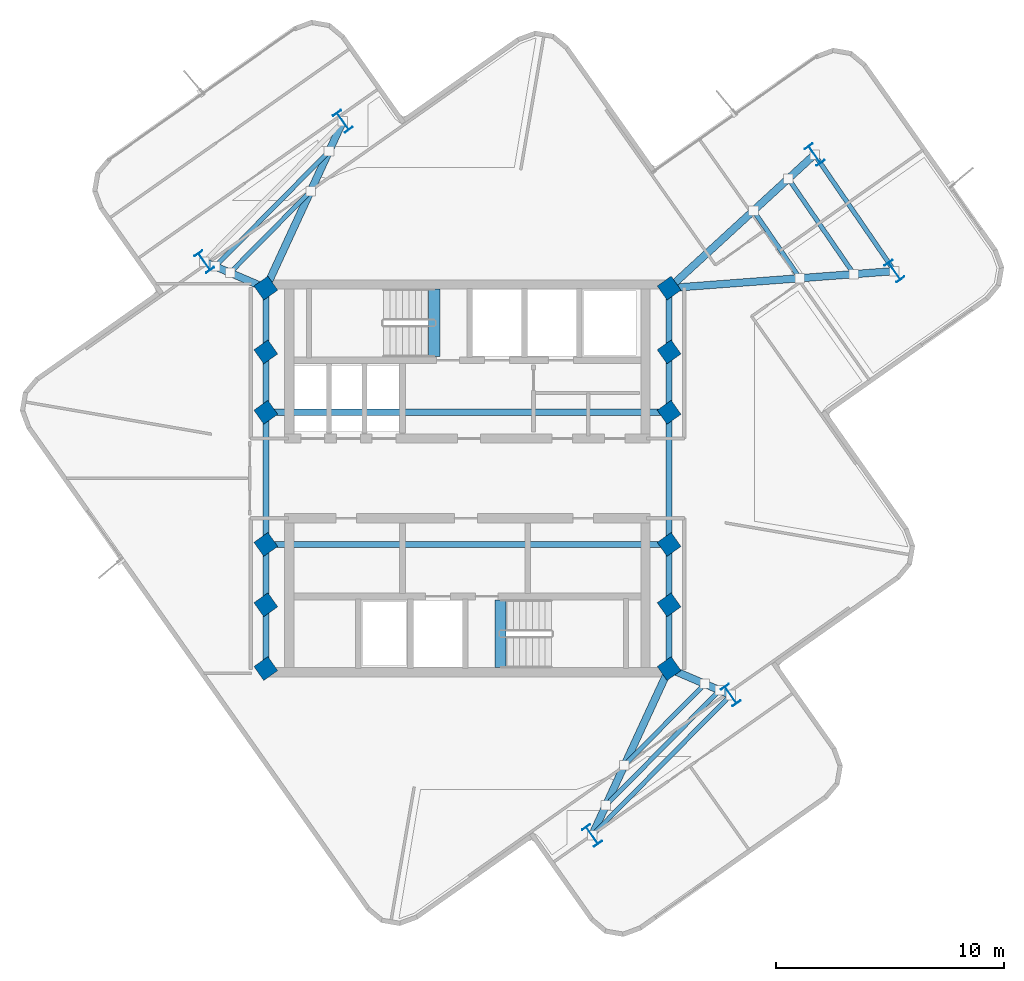
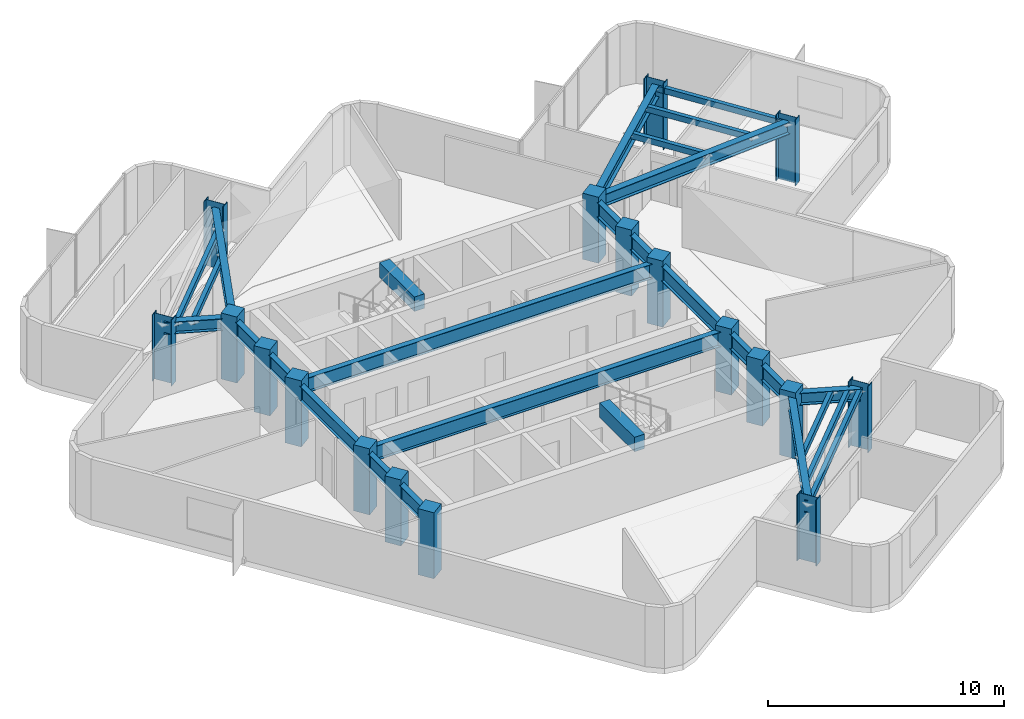
# One storey, part 1 of 8: 28 beams, 18 columns.
"""IFC4 building model written with IfcOpenShell, lengths in metres."""

import ifcopenshell
import ifcopenshell.guid

model = None  # the IFC model being written
_history = None  # IfcOwnerHistory: only IFC2X3 demands one
_inside = {}  # id of a spatial element -> (the spatial element, [elements in it])
_under = {}  # id of a project, library or spatial element -> (it, [spatial elements below it])
_declared = {}  # id of a project -> (the project, [libraries it declares])
_typed = {}  # id of a type object -> (the type object, [elements of that type])
_made_of = {}  # id of a material, layer set ... -> (it, [elements and type objects made of it])


def new_model(schema):
    """Start an empty IFC model of exactly this schema.

    Asked for "IFC4X3", IfcOpenShell would pick the latest addendum, in which some entities
    have other attributes; the version numbers below select the first issue.
    IFC2X3 requires an IfcOwnerHistory on every rooted entity: one is made here for all.
    """
    global model, _history
    if schema == "IFC4X3":
        model = ifcopenshell.file(schema_version=(4, 3, 0, 0))
    else:
        model = ifcopenshell.file(schema=schema)
    _inside.clear()
    _under.clear()
    _declared.clear()
    _typed.clear()
    _made_of.clear()
    _history = None
    if model.schema == "IFC2X3":
        org = make("IfcOrganization", Name="unknown")
        user = make(
            "IfcPersonAndOrganization",
            ThePerson=make("IfcPerson", FamilyName="unknown"),
            TheOrganization=org,
        )
        app = make(
            "IfcApplication",
            ApplicationDeveloper=org,
            Version="unknown",
            ApplicationFullName="unknown",
            ApplicationIdentifier="unknown",
        )
        _history = make(
            "IfcOwnerHistory",
            OwningUser=user,
            OwningApplication=app,
            ChangeAction="ADDED",
            CreationDate=0,
        )
    return model


def make(cls, **values):
    """One entity of the class cls with the attributes given. An attribute that is None is left unset."""
    return model.create_entity(
        cls, **{name: value for name, value in values.items() if value is not None}
    )


def rooted(cls, **values):
    """An entity with a GlobalId (a new one), such as an element, a storey or a relation."""
    return make(cls, GlobalId=ifcopenshell.guid.new(), OwnerHistory=_history, **values)


def si_unit(unit_type, name, prefix=None):
    """IfcSIUnit, for example si_unit("LENGTHUNIT", "METRE", prefix="MILLI")."""
    return make("IfcSIUnit", UnitType=unit_type, Prefix=prefix, Name=name)


def assignment(units):
    """IfcUnitAssignment: the units of a project."""
    return None if units is None else make("IfcUnitAssignment", Units=units)


def point(xyz):
    """IfcCartesianPoint."""
    return None if xyz is None else make("IfcCartesianPoint", Coordinates=xyz)


def direction(xyz):
    """IfcDirection."""
    return None if xyz is None else make("IfcDirection", DirectionRatios=xyz)


def frame(location, z_axis=None, x_axis=None):
    """IfcAxis2Placement3D, a coordinate frame: its origin and axes. An axis left out is left unset."""
    return make(
        "IfcAxis2Placement3D",
        Location=point(location),
        Axis=direction(z_axis),
        RefDirection=direction(x_axis),
    )


def frame_2d(location, x_axis=None):
    """IfcAxis2Placement2D, a coordinate frame in the plane: its origin and x axis."""
    return make(
        "IfcAxis2Placement2D", Location=point(location), RefDirection=direction(x_axis)
    )


def origin():
    """The frame at (0, 0, 0) with its axes left unset."""
    return frame((0.0, 0.0, 0.0))


def origin_2d():
    """The frame at (0, 0) in the plane with its x axis left unset."""
    return frame_2d((0.0, 0.0))


def place(relative_to, where):
    """IfcLocalPlacement: puts the frame where relative to a parent placement (None: the world)."""
    return make(
        "IfcLocalPlacement", PlacementRelTo=relative_to, RelativePlacement=where
    )


def context(
    kind, dimensions, precision=None, world=None, true_north=None, identifier=None
):
    """IfcGeometricRepresentationContext, for example the 3D "Model" context."""
    return make(
        "IfcGeometricRepresentationContext",
        ContextIdentifier=identifier,
        ContextType=kind,
        CoordinateSpaceDimension=dimensions,
        Precision=precision,
        WorldCoordinateSystem=world,
        TrueNorth=true_north,
    )


def subcontext(parent, identifier, kind, view, scale=None):
    """IfcGeometricRepresentationSubContext, for example "Body" below "Model"."""
    return make(
        "IfcGeometricRepresentationSubContext",
        ContextIdentifier=identifier,
        ContextType=kind,
        ParentContext=parent,
        TargetScale=scale,
        TargetView=view,
    )


def project(units=None, contexts=None):
    """IfcProject with its units and contexts."""
    return rooted(
        "IfcProject",
        Name="project",
        RepresentationContexts=contexts,
        UnitsInContext=assignment(units),
    )


def spatial(cls, under=None, at=None, **own):
    """A site, building, storey or space (cls), placed at a placement, below another one or the project."""
    s = rooted(cls, ObjectPlacement=at, **own)
    if under is not None:
        _under.setdefault(under.id(), (under, []))[1].append(s)
    return s


def profile(cls, at=None, kind="AREA", **sizes):
    """A parametric profile (cls). Its sizes go by their IFC names, for example OverallWidth=200.0."""
    return make(cls, ProfileType=kind, Position=at, **sizes)


def rectangle(**sizes):
    """IfcRectangleProfileDef."""
    return profile("IfcRectangleProfileDef", **sizes)


def hollow_rectangle(**sizes):
    """IfcRectangleHollowProfileDef."""
    return profile("IfcRectangleHollowProfileDef", **sizes)


def i_section(**sizes):
    """IfcIShapeProfileDef."""
    return profile("IfcIShapeProfileDef", **sizes)


def extrude(swept, where, along, depth):
    """IfcExtrudedAreaSolid: the profile swept, set in the frame where, extruded along a direction by depth."""
    return make(
        "IfcExtrudedAreaSolid",
        SweptArea=swept,
        Position=where,
        ExtrudedDirection=direction(along),
        Depth=depth,
    )


def shape(context_of_items, identifier, shape_type, items):
    """IfcShapeRepresentation: the items that make up one representation, for example the "Body"."""
    return make(
        "IfcShapeRepresentation",
        ContextOfItems=context_of_items,
        RepresentationIdentifier=identifier,
        RepresentationType=shape_type,
        Items=items,
    )


def material(Name=None, Category=None):
    """IfcMaterial."""
    return make("IfcMaterial", Name=Name, Category=Category)


def material_profile(
    of_material, cross_section, Name=None, Category=None, Priority=None
):
    """IfcMaterialProfile: a cross section and its material."""
    return make(
        "IfcMaterialProfile",
        Name=Name,
        Material=of_material,
        Profile=cross_section,
        Priority=Priority,
        Category=Category,
    )


def profile_set(profiles, Name=None, composite=None):
    """IfcMaterialProfileSet."""
    return make(
        "IfcMaterialProfileSet",
        Name=Name,
        MaterialProfiles=profiles,
        CompositeProfile=composite,
    )


def made_of(thing, what):
    """Note that an element or type object is made of a material, layer set ...; save() writes the relation."""
    if what is not None:
        _made_of.setdefault(what.id(), (what, []))[1].append(thing)
    return thing


def type_object(cls, material=None, **own):
    """A type object (cls), such as IfcWallType, which elements share."""
    return made_of(rooted(cls, **own), material)


def element(
    cls,
    number,
    at=None,
    inside=None,
    cuts=None,
    type_object=None,
    material=None,
    context=None,
    identifier="Body",
    shape_type=None,
    held_by="IfcProductDefinitionShape",
    body=None,
    shapes=None,
    **own,
):
    """One element of the class cls, such as IfcWall. Its Tag is "e" and its number.

    at: its placement. inside: the storey or other place that contains it. cuts: it is an
    opening in that element (IfcRelVoidsElement). A single representation is given by context,
    identifier, shape_type and body (its items); several are given by shapes. held_by: the class
    of the entity that holds the representations. save() writes the other relations.
    """
    e = rooted(cls, Tag="e%d" % number, ObjectPlacement=at, **own)
    if body is not None:
        shapes = [shape(context, identifier, shape_type, body)]
    if shapes is not None:
        e.Representation = make(held_by, Representations=shapes)
    if inside is not None:
        _inside.setdefault(inside.id(), (inside, []))[1].append(e)
    if cuts is not None:
        rooted(
            "IfcRelVoidsElement", RelatingBuildingElement=cuts, RelatedOpeningElement=e
        )
    if type_object is not None:
        _typed.setdefault(type_object.id(), (type_object, []))[1].append(e)
    return made_of(e, material)


def aggregate(whole, parts):
    """IfcRelAggregates: a whole, such as a stair, and the parts it consists of."""
    return rooted("IfcRelAggregates", RelatingObject=whole, RelatedObjects=parts)


def save(model, path):
    """Write the relations noted so far, then the file.

    IfcRelAggregates (storeys below a building ...), IfcRelContainedInSpatialStructure (elements
    in a storey), IfcRelDefinesByType, IfcRelAssociatesMaterial and IfcRelDeclares: one each for
    every whole, place, type object, material and project.
    """
    for whole, parts in _under.values():
        aggregate(whole, parts)
    for where, things in _inside.values():
        rooted(
            "IfcRelContainedInSpatialStructure",
            RelatedElements=things,
            RelatingStructure=where,
        )
    for kind, things in _typed.values():
        rooted("IfcRelDefinesByType", RelatedObjects=things, RelatingType=kind)
    for what, things in _made_of.values():
        rooted("IfcRelAssociatesMaterial", RelatedObjects=things, RelatingMaterial=what)
    for by, libraries in _declared.values():
        rooted("IfcRelDeclares", RelatingContext=by, RelatedDefinitions=libraries)
    model.write(path)


model = new_model("IFC4")

# Units and contexts
model_context = context("Model", 3, precision=1e-05, world=origin(), true_north=direction((0.0, 1.0)))
body_context = subcontext(model_context, "Body", "Model", "MODEL_VIEW")
ifc_project = project(units=[si_unit("LENGTHUNIT", "METRE"), si_unit("AREAUNIT", "SQUARE_METRE"), si_unit("VOLUMEUNIT", "CUBIC_METRE"), si_unit("PLANEANGLEUNIT", "RADIAN"), si_unit("MASSUNIT", "GRAM", prefix="KILO")], contexts=[model_context])

# Site, building, storey
site_placement = place(None, origin())
site = spatial("IfcSite", under=ifc_project, at=site_placement, CompositionType="ELEMENT")
building_placement = place(site_placement, origin())
building = spatial("IfcBuilding", under=site, at=building_placement, Name="Solmarez Civic Tower", CompositionType="ELEMENT")
storey_placement = place(building_placement, frame((0.0, 0.0, 225.719970703125)))
storey = spatial("IfcBuildingStorey", under=building, at=storey_placement, Name="L60", CompositionType="ELEMENT", Elevation=225.719970703125)

# Columns
ifc_material_1 = material(Name="Concrete C50/60", Category="concrete")
ifc_material_profile_1 = material_profile(ifc_material_1, rectangle(XDim=0.75, YDim=0.75, at=origin_2d()), Name="RC750X750")
ifc_profile_set_1 = profile_set([ifc_material_profile_1], Name="Concrete C50/60")
column_type_1 = type_object("IfcColumnType", Name="COL-RC750", PredefinedType="COLUMN", material=ifc_profile_set_1)
for number, where, z_axis, x_axis, name in (
    (1, (-8.85009765625, -5.550048828125, 0.0), (0.0, 0.0, 1.0), (0.817144898335, 0.57643231617, 0.0), "L60 Structural Column HC1"),
    (2, (-8.85009765625, -2.89990234375, 0.0), (0.0, 0.0, 1.0), (0.817144898335, 0.57643231617, 0.0), "L60 Structural Column HC2"),
    (3, (-8.85009765625, 2.89990234375, 0.0), (0.0, 0.0, 1.0), (0.817144898335, 0.57643231617, 0.0), "L60 Structural Column HC3"),
    (4, (-8.85009765625, 5.550048828125, 0.0), (0.0, 0.0, 1.0), (0.817144898335, 0.57643231617, 0.0), "L60 Structural Column HC4"),
    (5, (8.85009765625, -5.550048828125, 0.0), (0.0, 0.0, 1.0), (0.817144898335, 0.57643231617, 0.0), "L60 Structural Column HC5"),
    (6, (8.85009765625, -2.89990234375, 0.0), (0.0, 0.0, 1.0), (0.817144898335, 0.57643231617, 0.0), "L60 Structural Column HC6"),
    (7, (8.85009765625, 2.89990234375, 0.0), (0.0, 0.0, 1.0), (0.817144898335, 0.57643231617, 0.0), "L60 Structural Column HC7"),
    (8, (8.85009765625, 5.550048828125, 0.0), (0.0, 0.0, 1.0), (0.817144898335, 0.57643231617, 0.0), "L60 Structural Column HC8"),
    (9, (-8.85009765625, 8.35009765625, 0.0), (0.0, 0.0, 1.0), (0.817144898335, 0.57643231617, 0.0), "L60 Structural Column HC9"),
    (10, (8.85009765625, -8.35009765625, 0.0), (0.0, 0.0, 1.0), (0.817144898335, 0.57643231617, 0.0), "L60 Structural Column HC10"),
    (11, (8.85009765625, 8.35009765625, 0.0), (0.0, 0.0, 1.0), (0.817144898335, 0.57643231617, 0.0), "L60 Structural Column HC11"),
    (12, (-8.85009765625, -8.35009765625, 0.0), (0.0, 0.0, 1.0), (0.817144898335, 0.57643231617, 0.0), "L60 Structural Column HC12"),
):
    element("IfcColumn", number, at=place(storey_placement, frame(where, z_axis=z_axis, x_axis=x_axis)), inside=storey, type_object=column_type_1, Name=name, PredefinedType="COLUMN", context=body_context, shape_type="SweptSolid", body=[
        extrude(rectangle(XDim=0.75, YDim=0.75, at=origin_2d()), origin(), (0.0, 0.0, 1.0), 3.419921875),
    ])
ifc_material_2 = material(Name="Steel S355", Category="steel")
ifc_material_profile_2 = material_profile(ifc_material_2, i_section(OverallWidth=0.41796875, OverallDepth=0.927001953125, WebThickness=0.019287109375, FlangeThickness=0.031982421875, at=origin_2d()), Name="W36X231")
ifc_profile_set_2 = profile_set([ifc_material_profile_2], Name="Steel S355")
column_type_2 = type_object("IfcColumnType", Name="COL-W36X231", PredefinedType="COLUMN", material=ifc_profile_set_2)
for number, where, z_axis, x_axis, name in (
    (13, (18.740966796875, 9.096923828125, 0.0), (0.0, 0.0, 1.0), (0.817144898335, 0.57643231617, 0.0), "L60 Structural Column EA11"),
    (14, (15.23388671875, 14.208984375, 0.0), (0.0, 0.0, 1.0), (0.817144898335, 0.57643231617, 0.0), "L60 Structural Column EA12"),
    (15, (-5.468017578125, 15.6708984375, 0.0), (0.0, 0.0, 1.0), (0.817144898335, 0.57643231617, 0.0), "L60 Structural Column NA11"),
    (16, (-11.553955078125, 9.510009765625, 0.0), (0.0, 0.0, 1.0), (0.817144898335, 0.57643231617, 0.0), "L60 Structural Column NA12"),
    (17, (5.468017578125, -15.6708984375, 0.0), (0.0, 0.0, 1.0), (0.817144898335, 0.57643231617, 0.0), "L60 Structural Column SA11"),
    (18, (11.553955078125, -9.510009765625, 0.0), (0.0, 0.0, 1.0), (0.817144898335, 0.57643231617, 0.0), "L60 Structural Column SA12"),
):
    element("IfcColumn", number, at=place(storey_placement, frame(where, z_axis=z_axis, x_axis=x_axis)), inside=storey, type_object=column_type_2, Name=name, PredefinedType="COLUMN", context=body_context, shape_type="SweptSolid", body=[
        extrude(i_section(OverallWidth=0.41796875, OverallDepth=0.927001953125, WebThickness=0.019287109375, FlangeThickness=0.031982421875, at=origin_2d()), origin(), (0.0, 0.0, 1.0), 3.419921875),
    ])

# Beams
ifc_material_profile_3 = material_profile(ifc_material_2, hollow_rectangle(XDim=0.199951171875, YDim=0.300048828125, WallThickness=0.011962890625, at=origin_2d()), Name="HSS300X200X12")
ifc_profile_set_3 = profile_set([ifc_material_profile_3], Name="Steel S355")
beam_type_1 = type_object("IfcBeamType", Name="BM-JS-HSS300X200", PredefinedType="JOIST", material=ifc_profile_set_3)
beam_1_placement = place(storey_placement, frame((18.740966796875, 9.096923828125, 2.989990234375), z_axis=(-0.565711253315, 0.824603406416, 0.0), x_axis=(-0.824603406416, -0.565711253315, 0.0)))
element("IfcBeam", 19, at=beam_1_placement, inside=storey, type_object=beam_type_1, Name="L60 Secondary Floor Joist BM-L60-EA-T1", PredefinedType="JOIST", context=body_context, shape_type="SweptSolid", body=[
    extrude(hollow_rectangle(XDim=0.199951171875, YDim=0.300048828125, WallThickness=0.011962890625, at=origin_2d()), origin(), (0.0, 0.0, 1.0), 6.199462890625),
])
beam_2_placement = place(storey_placement, frame((14.5869140625, 8.782958984375, 2.989990234375), z_axis=(-0.565666897805, 0.824633834334, 0.0), x_axis=(-0.824633834334, -0.565666897805, 0.0)))
element("IfcBeam", 20, at=beam_2_placement, inside=storey, type_object=beam_type_1, Name="L60 Secondary Floor Joist JS-L60-EA-M11", PredefinedType="JOIST", context=body_context, shape_type="SweptSolid", body=[
    extrude(hollow_rectangle(XDim=0.199951171875, YDim=0.300048828125, WallThickness=0.011962890625, at=origin_2d()), origin(), (0.0, 0.0, 1.0), 3.595703125),
])
beam_3_placement = place(storey_placement, frame((16.9609375, 8.962890625, 2.989990234375), z_axis=(-0.565800880521, 0.824541911367, 0.0), x_axis=(-0.824541911367, -0.565800880521, 0.0)))
element("IfcBeam", 21, at=beam_3_placement, inside=storey, type_object=beam_type_1, Name="L60 Secondary Floor Joist JS-L60-EA-M12", PredefinedType="JOIST", context=body_context, shape_type="SweptSolid", body=[
    extrude(hollow_rectangle(XDim=0.199951171875, YDim=0.300048828125, WallThickness=0.011962890625, at=origin_2d()), origin(), (0.0, 0.0, 1.0), 5.0830078125),
])
beam_4_placement = place(storey_placement, frame((-6.887939453125, 12.595947265625, 2.989990234375), z_axis=(-0.702816380081, -0.711371306625, 0.0), x_axis=(0.711371306625, -0.702816380081, 0.0)))
element("IfcBeam", 22, at=beam_4_placement, inside=storey, type_object=beam_type_1, Name="L60 Secondary Floor Joist JS-L60-NA-M11", PredefinedType="JOIST", context=body_context, shape_type="SweptSolid", body=[
    extrude(hollow_rectangle(XDim=0.199951171875, YDim=0.300048828125, WallThickness=0.011962890625, at=origin_2d()), origin(), (0.0, 0.0, 1.0), 5.022705078125),
])
beam_5_placement = place(storey_placement, frame((-6.076904296875, 14.35302734375, 2.989990234375), z_axis=(-0.702726827997, -0.711459770622, 0.0), x_axis=(0.711459770622, -0.702726827997, 0.0)))
element("IfcBeam", 23, at=beam_5_placement, inside=storey, type_object=beam_type_1, Name="L60 Secondary Floor Joist JS-L60-NA-M12", PredefinedType="JOIST", context=body_context, shape_type="SweptSolid", body=[
    extrude(hollow_rectangle(XDim=0.199951171875, YDim=0.300048828125, WallThickness=0.011962890625, at=origin_2d()), origin(), (0.0, 0.0, 1.0), 7.100830078125),
])
beam_6_placement = place(storey_placement, frame((5.468017578125, -15.6708984375, 2.989990234375), z_axis=(0.702766092364, 0.711420986072, 0.0), x_axis=(-0.711420986072, 0.702766092364, 0.0)))
element("IfcBeam", 24, at=beam_6_placement, inside=storey, type_object=beam_type_1, Name="L60 Secondary Floor Joist BM-L60-SA-T1", PredefinedType="JOIST", context=body_context, shape_type="SweptSolid", body=[
    extrude(hollow_rectangle(XDim=0.199951171875, YDim=0.300048828125, WallThickness=0.011962890625, at=origin_2d()), origin(), (0.0, 0.0, 1.0), 8.659912109375),
])
beam_7_placement = place(storey_placement, frame((6.887939453125, -12.595947265625, 2.989990234375), z_axis=(0.702816380081, 0.711371306625, 0.0), x_axis=(-0.711371306625, 0.702816380081, 0.0)))
element("IfcBeam", 25, at=beam_7_placement, inside=storey, type_object=beam_type_1, Name="L60 Secondary Floor Joist JS-L60-SA-M11", PredefinedType="JOIST", context=body_context, shape_type="SweptSolid", body=[
    extrude(hollow_rectangle(XDim=0.199951171875, YDim=0.300048828125, WallThickness=0.011962890625, at=origin_2d()), origin(), (0.0, 0.0, 1.0), 5.022705078125),
])
beam_8_placement = place(storey_placement, frame((6.076904296875, -14.35302734375, 2.989990234375), z_axis=(0.702726827997, 0.711459770622, 0.0), x_axis=(-0.711459770622, 0.702726827997, 0.0)))
element("IfcBeam", 26, at=beam_8_placement, inside=storey, type_object=beam_type_1, Name="L60 Secondary Floor Joist JS-L60-SA-M12", PredefinedType="JOIST", context=body_context, shape_type="SweptSolid", body=[
    extrude(hollow_rectangle(XDim=0.199951171875, YDim=0.300048828125, WallThickness=0.011962890625, at=origin_2d()), origin(), (0.0, 0.0, 1.0), 7.100830078125),
])
ifc_material_profile_4 = material_profile(ifc_material_1, rectangle(XDim=0.5, YDim=0.75, at=origin_2d()), Name="RC500X750")
ifc_profile_set_4 = profile_set([ifc_material_profile_4], Name="Concrete C50/60")
beam_type_2 = type_object("IfcBeamType", Name="BM-PR-RC500X750", PredefinedType="BEAM", material=ifc_profile_set_4)
for number, where, z_axis, x_axis, name in (
    (27, (-1.449951171875, 5.340087890625, 3.052978515625), (0.0, 1.0, 0.0), (-1.0, 0.0, 0.0), "L60 North Stair Threshold Beam"),
    (28, (1.449951171875, -8.300048828125, 3.052978515625), (0.0, 1.0, 0.0), (-1.0, 0.0, 0.0), "L60 South Stair Threshold Beam"),
):
    element("IfcBeam", number, at=place(storey_placement, frame(where, z_axis=z_axis, x_axis=x_axis)), inside=storey, type_object=beam_type_2, Name=name, PredefinedType="BEAM", context=body_context, shape_type="SweptSolid", body=[
        extrude(rectangle(XDim=0.5, YDim=0.75, at=origin_2d()), origin(), (0.0, 0.0, 1.0), 2.9599609375),
    ])
ifc_material_profile_5 = material_profile(ifc_material_2, i_section(OverallWidth=0.327880859375, OverallDepth=0.6220703125, WebThickness=0.015380859375, FlangeThickness=0.0244140625, at=origin_2d()), Name="W24X131")
ifc_profile_set_5 = profile_set([ifc_material_profile_5], Name="Steel S355")
beam_type_3 = type_object("IfcBeamType", Name="BM-PR-W24X131", PredefinedType="BEAM", material=ifc_profile_set_5)
beam_9_placement = place(storey_placement, frame((8.85009765625, 8.35009765625, 2.8291015625), z_axis=(0.997161506076, 0.075292302399, 0.0), x_axis=(-0.075292302399, 0.997161506076, 0.0)))
element("IfcBeam", 29, at=beam_9_placement, inside=storey, type_object=beam_type_3, Name="L60 Primary Floor Beam BM-L60-EA-R1A", PredefinedType="BEAM", context=body_context, shape_type="SweptSolid", body=[
    extrude(i_section(OverallWidth=0.327880859375, OverallDepth=0.6220703125, WebThickness=0.015380859375, FlangeThickness=0.0244140625, at=origin_2d()), origin(), (0.0, 0.0, 1.0), 9.9189453125),
])
beam_10_placement = place(storey_placement, frame((8.85009765625, 8.35009765625, 2.8291015625), z_axis=(0.736746995662, 0.676168517741, 0.0), x_axis=(-0.676168517741, 0.736746995662, 0.0)))
element("IfcBeam", 30, at=beam_10_placement, inside=storey, type_object=beam_type_3, Name="L60 Primary Floor Beam BM-L60-EA-R1B", PredefinedType="BEAM", context=body_context, shape_type="SweptSolid", body=[
    extrude(i_section(OverallWidth=0.327880859375, OverallDepth=0.6220703125, WebThickness=0.015380859375, FlangeThickness=0.0244140625, at=origin_2d()), origin(), (0.0, 0.0, 1.0), 8.664794921875),
])
beam_11_placement = place(storey_placement, frame((-8.85009765625, 8.35009765625, 2.8291015625), z_axis=(0.419390280967, 0.907806032273, 0.0), x_axis=(-0.907806032273, 0.419390280967, 0.0)))
element("IfcBeam", 31, at=beam_11_placement, inside=storey, type_object=beam_type_3, Name="L60 Primary Floor Beam BM-L60-NA-R1A", PredefinedType="BEAM", context=body_context, shape_type="SweptSolid", body=[
    extrude(i_section(OverallWidth=0.327880859375, OverallDepth=0.6220703125, WebThickness=0.015380859375, FlangeThickness=0.0244140625, at=origin_2d()), origin(), (0.0, 0.0, 1.0), 8.064208984375),
])
beam_12_placement = place(storey_placement, frame((-8.85009765625, 8.35009765625, 2.8291015625), z_axis=(-0.919007627325, 0.394239750557, 0.0), x_axis=(-0.394239750557, -0.919007627325, 0.0)))
element("IfcBeam", 32, at=beam_12_placement, inside=storey, type_object=beam_type_3, Name="L60 Primary Floor Beam BM-L60-NA-R1B", PredefinedType="BEAM", context=body_context, shape_type="SweptSolid", body=[
    extrude(i_section(OverallWidth=0.327880859375, OverallDepth=0.6220703125, WebThickness=0.015380859375, FlangeThickness=0.0244140625, at=origin_2d()), origin(), (0.0, 0.0, 1.0), 2.942138671875),
])
beam_13_placement = place(storey_placement, frame((8.85009765625, -8.35009765625, 2.8291015625), z_axis=(-0.419390280967, -0.907806032273, 0.0), x_axis=(0.907806032273, -0.419390280967, 0.0)))
element("IfcBeam", 33, at=beam_13_placement, inside=storey, type_object=beam_type_3, Name="L60 Primary Floor Beam BM-L60-SA-R1A", PredefinedType="BEAM", context=body_context, shape_type="SweptSolid", body=[
    extrude(i_section(OverallWidth=0.327880859375, OverallDepth=0.6220703125, WebThickness=0.015380859375, FlangeThickness=0.0244140625, at=origin_2d()), origin(), (0.0, 0.0, 1.0), 8.064208984375),
])
beam_14_placement = place(storey_placement, frame((8.85009765625, -8.35009765625, 2.8291015625), z_axis=(0.919007627325, -0.394239750557, 0.0), x_axis=(0.394239750557, 0.919007627325, 0.0)))
element("IfcBeam", 34, at=beam_14_placement, inside=storey, type_object=beam_type_3, Name="L60 Primary Floor Beam BM-L60-SA-R1B", PredefinedType="BEAM", context=body_context, shape_type="SweptSolid", body=[
    extrude(i_section(OverallWidth=0.327880859375, OverallDepth=0.6220703125, WebThickness=0.015380859375, FlangeThickness=0.0244140625, at=origin_2d()), origin(), (0.0, 0.0, 1.0), 2.942138671875),
])
ifc_material_profile_6 = material_profile(ifc_material_2, i_section(OverallWidth=0.26708984375, OverallDepth=0.761962890625, WebThickness=0.014404296875, FlangeThickness=0.021484375, at=origin_2d()), Name="W30X116")
ifc_profile_set_6 = profile_set([ifc_material_profile_6], Name="Steel S355")
beam_type_4 = type_object("IfcBeamType", Name="BM-PR-W30X116", PredefinedType="BEAM", material=ifc_profile_set_6)
beam_15_placement = place(storey_placement, frame((-8.85009765625, -8.35009765625, 2.759033203125), z_axis=(0.0, 1.0, 0.0), x_axis=(-1.0, 0.0, 0.0)))
element("IfcBeam", 35, at=beam_15_placement, inside=storey, type_object=beam_type_4, Name="L60 Primary Floor Beam BM-L60-HC12-HC1", PredefinedType="BEAM", context=body_context, shape_type="SweptSolid", body=[
    extrude(i_section(OverallWidth=0.26708984375, OverallDepth=0.761962890625, WebThickness=0.014404296875, FlangeThickness=0.021484375, at=origin_2d()), origin(), (0.0, 0.0, 1.0), 2.800048828125),
])
beam_16_placement = place(storey_placement, frame((-8.85009765625, -5.550048828125, 2.759033203125), z_axis=(0.0, 1.0, 0.0), x_axis=(-1.0, 0.0, 0.0)))
element("IfcBeam", 36, at=beam_16_placement, inside=storey, type_object=beam_type_4, Name="L60 Primary Floor Beam BM-L60-HC1-HC2", PredefinedType="BEAM", context=body_context, shape_type="SweptSolid", body=[
    extrude(i_section(OverallWidth=0.26708984375, OverallDepth=0.761962890625, WebThickness=0.014404296875, FlangeThickness=0.021484375, at=origin_2d()), origin(), (0.0, 0.0, 1.0), 2.650146484375),
])
beam_17_placement = place(storey_placement, frame((-8.85009765625, -2.89990234375, 2.759033203125), z_axis=(0.0, 1.0, 0.0), x_axis=(-1.0, 0.0, 0.0)))
element("IfcBeam", 37, at=beam_17_placement, inside=storey, type_object=beam_type_4, Name="L60 Primary Floor Beam BM-L60-HC2-HC3", PredefinedType="BEAM", context=body_context, shape_type="SweptSolid", body=[
    extrude(i_section(OverallWidth=0.26708984375, OverallDepth=0.761962890625, WebThickness=0.014404296875, FlangeThickness=0.021484375, at=origin_2d()), origin(), (0.0, 0.0, 1.0), 5.7998046875),
])
beam_18_placement = place(storey_placement, frame((-8.85009765625, 2.89990234375, 2.759033203125), z_axis=(0.0, 1.0, 0.0), x_axis=(-1.0, 0.0, 0.0)))
element("IfcBeam", 38, at=beam_18_placement, inside=storey, type_object=beam_type_4, Name="L60 Primary Floor Beam BM-L60-HC3-HC4", PredefinedType="BEAM", context=body_context, shape_type="SweptSolid", body=[
    extrude(i_section(OverallWidth=0.26708984375, OverallDepth=0.761962890625, WebThickness=0.014404296875, FlangeThickness=0.021484375, at=origin_2d()), origin(), (0.0, 0.0, 1.0), 2.650146484375),
])
for number, where, z_axis, x_axis, name in (
    (39, (-8.85009765625, 5.550048828125, 2.759033203125), (0.0, 1.0, 0.0), (-1.0, 0.0, 0.0), "L60 Primary Floor Beam BM-L60-HC4-HC9"),
    (40, (8.85009765625, -8.35009765625, 2.759033203125), (0.0, 1.0, 0.0), (-1.0, 0.0, 0.0), "L60 Primary Floor Beam BM-L60-HC10-HC5"),
):
    element("IfcBeam", number, at=place(storey_placement, frame(where, z_axis=z_axis, x_axis=x_axis)), inside=storey, type_object=beam_type_4, Name=name, PredefinedType="BEAM", context=body_context, shape_type="SweptSolid", body=[
        extrude(i_section(OverallWidth=0.26708984375, OverallDepth=0.761962890625, WebThickness=0.014404296875, FlangeThickness=0.021484375, at=origin_2d()), origin(), (0.0, 0.0, 1.0), 2.800048828125),
    ])
beam_19_placement = place(storey_placement, frame((8.85009765625, -5.550048828125, 2.759033203125), z_axis=(0.0, 1.0, 0.0), x_axis=(-1.0, 0.0, 0.0)))
element("IfcBeam", 41, at=beam_19_placement, inside=storey, type_object=beam_type_4, Name="L60 Primary Floor Beam BM-L60-HC5-HC6", PredefinedType="BEAM", context=body_context, shape_type="SweptSolid", body=[
    extrude(i_section(OverallWidth=0.26708984375, OverallDepth=0.761962890625, WebThickness=0.014404296875, FlangeThickness=0.021484375, at=origin_2d()), origin(), (0.0, 0.0, 1.0), 2.650146484375),
])
beam_20_placement = place(storey_placement, frame((8.85009765625, -2.89990234375, 2.759033203125), z_axis=(0.0, 1.0, 0.0), x_axis=(-1.0, 0.0, 0.0)))
element("IfcBeam", 42, at=beam_20_placement, inside=storey, type_object=beam_type_4, Name="L60 Primary Floor Beam BM-L60-HC6-HC7", PredefinedType="BEAM", context=body_context, shape_type="SweptSolid", body=[
    extrude(i_section(OverallWidth=0.26708984375, OverallDepth=0.761962890625, WebThickness=0.014404296875, FlangeThickness=0.021484375, at=origin_2d()), origin(), (0.0, 0.0, 1.0), 5.7998046875),
])
beam_21_placement = place(storey_placement, frame((8.85009765625, 2.89990234375, 2.759033203125), z_axis=(0.0, 1.0, 0.0), x_axis=(-1.0, 0.0, 0.0)))
element("IfcBeam", 43, at=beam_21_placement, inside=storey, type_object=beam_type_4, Name="L60 Primary Floor Beam BM-L60-HC7-HC8", PredefinedType="BEAM", context=body_context, shape_type="SweptSolid", body=[
    extrude(i_section(OverallWidth=0.26708984375, OverallDepth=0.761962890625, WebThickness=0.014404296875, FlangeThickness=0.021484375, at=origin_2d()), origin(), (0.0, 0.0, 1.0), 2.650146484375),
])
beam_22_placement = place(storey_placement, frame((8.85009765625, 5.550048828125, 2.759033203125), z_axis=(0.0, 1.0, 0.0), x_axis=(-1.0, 0.0, 0.0)))
element("IfcBeam", 44, at=beam_22_placement, inside=storey, type_object=beam_type_4, Name="L60 Primary Floor Beam BM-L60-HC8-HC11", PredefinedType="BEAM", context=body_context, shape_type="SweptSolid", body=[
    extrude(i_section(OverallWidth=0.26708984375, OverallDepth=0.761962890625, WebThickness=0.014404296875, FlangeThickness=0.021484375, at=origin_2d()), origin(), (0.0, 0.0, 1.0), 2.800048828125),
])
for number, where, z_axis, x_axis, name in (
    (45, (-8.85009765625, -2.89990234375, 2.759033203125), (1.0, 0.0, 0.0), (0.0, 1.0, 0.0), "L60 Primary Floor Beam BM-L60-HC2-HC6"),
    (46, (-8.85009765625, 2.89990234375, 2.759033203125), (1.0, 0.0, 0.0), (0.0, 1.0, 0.0), "L60 Primary Floor Beam BM-L60-HC3-HC7"),
):
    element("IfcBeam", number, at=place(storey_placement, frame(where, z_axis=z_axis, x_axis=x_axis)), inside=storey, type_object=beam_type_4, Name=name, PredefinedType="BEAM", context=body_context, shape_type="SweptSolid", body=[
        extrude(i_section(OverallWidth=0.26708984375, OverallDepth=0.761962890625, WebThickness=0.014404296875, FlangeThickness=0.021484375, at=origin_2d()), origin(), (0.0, 0.0, 1.0), 17.7001953125),
    ])

save(model, "model.ifc")
